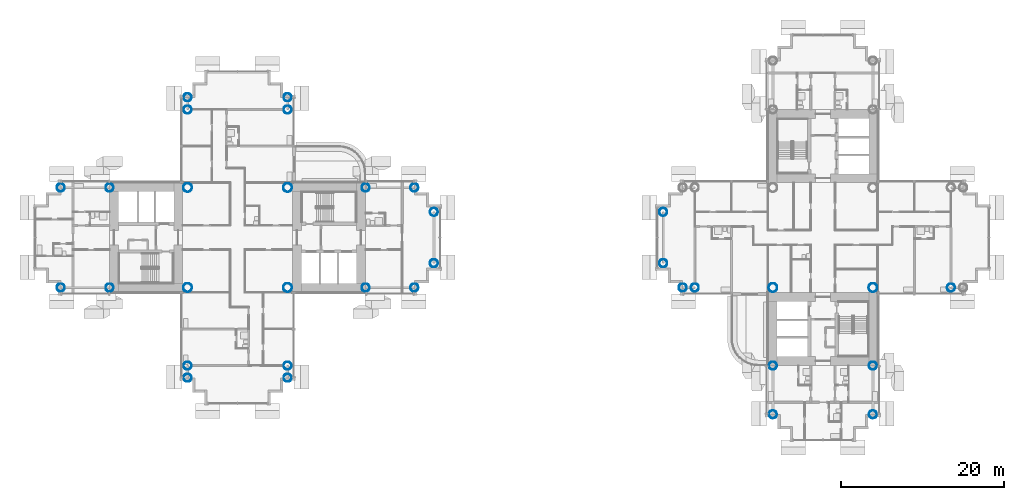
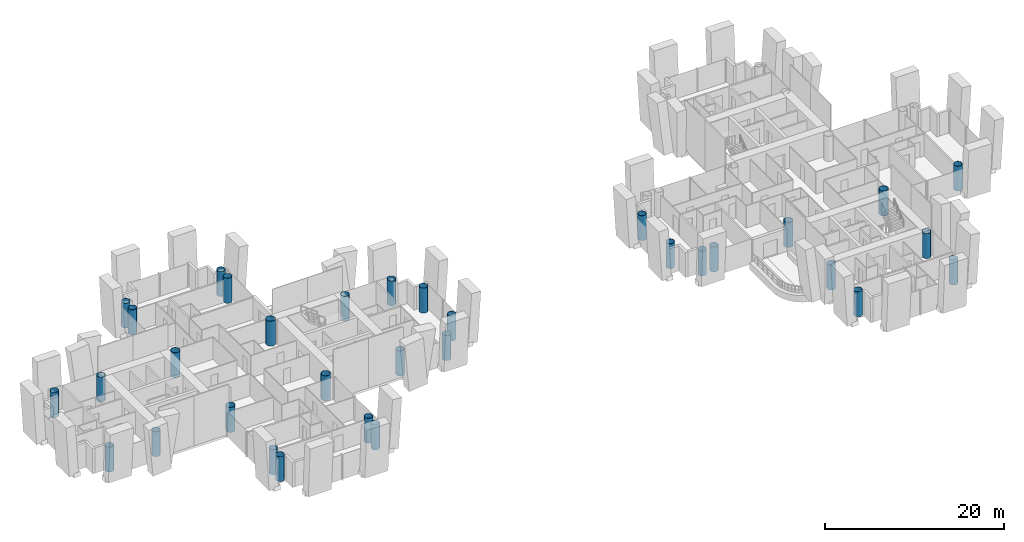
# One storey, part 1 of 23: 33 columns.
"""IFC4 building model written with IfcOpenShell, lengths in metres."""

from ifc_helpers import new_model, si_unit, direction, frame, origin, origin_2d, place, context, subcontext, project, spatial, hollow_circle, extrude, material, material_profile, profile_set, type_object, element, save


model = new_model("IFC4")

# Units and contexts
model_context = context("Model", 3, precision=1e-05, world=origin(), true_north=direction((0.0, 1.0)))
body_context = subcontext(model_context, "Body", "Model", "MODEL_VIEW")
ifc_project = project(units=[si_unit("LENGTHUNIT", "METRE"), si_unit("AREAUNIT", "SQUARE_METRE"), si_unit("VOLUMEUNIT", "CUBIC_METRE"), si_unit("PLANEANGLEUNIT", "RADIAN"), si_unit("MASSUNIT", "GRAM", prefix="KILO")], contexts=[model_context])

# Site, building, storey
site_placement = place(None, origin())
site = spatial("IfcSite", under=ifc_project, at=site_placement, CompositionType="ELEMENT")
building_placement = place(site_placement, origin())
building = spatial("IfcBuilding", under=site, at=building_placement, Name="Ipe Terrace Towers", CompositionType="ELEMENT")
storey_placement = place(building_placement, frame((0.0, 0.0, 51.699951171875)))
storey = spatial("IfcBuildingStorey", under=building, at=storey_placement, Name="L13", CompositionType="ELEMENT", Elevation=51.699951171875)

# Columns
ifc_material_1 = material(Name="Steel S355 tube with Concrete C60/75 fill", Category="concrete")
ifc_material_profile_1 = material_profile(ifc_material_1, hollow_circle(Radius=0.5, WallThickness=0.035888671875, at=origin_2d()), Name="CHS-1000x36")
ifc_profile_set_1 = profile_set([ifc_material_profile_1], Name="Steel S355 tube with Concrete C60/75 fill")
column_type_1 = type_object("IfcColumnType", Name="CH01 COLUMN CHS-1000x36", PredefinedType="COLUMN", material=ifc_profile_set_1)
for number, where, z_axis, x_axis, name in (
    (1, (-20.25, -6.14990234375, 0.0), (0.0, 0.0, 1.0), (1.0, 0.0, 0.0), "Column T1-C-A01"),
    (2, (-20.25, 6.14990234375, 0.0), (0.0, 0.0, 1.0), (1.0, 0.0, 0.0), "Column T1-C-A02"),
    (3, (-14.25, -6.14990234375, 0.0), (0.0, 0.0, 1.0), (1.0, 0.0, 0.0), "Column T1-C-A03"),
    (4, (-14.25, 6.14990234375, 0.0), (0.0, 0.0, 1.0), (1.0, 0.0, 0.0), "Column T1-C-A04"),
    (5, (-11.85009765625, -3.14990234375, 0.0), (0.0, 0.0, 1.0), (1.0, 0.0, 0.0), "Column T1-C-A05"),
    (6, (-11.85009765625, 3.14990234375, 0.0), (0.0, 0.0, 1.0), (1.0, 0.0, 0.0), "Column T1-C-A06"),
    (7, (-29.85009765625, 15.75, 0.0), (0.0, 0.0, 1.0), (1.0, 0.0, 0.0), "Column T1-C-B03"),
    (8, (-42.14990234375, 15.75, 0.0), (0.0, 0.0, 1.0), (1.0, 0.0, 0.0), "Column T1-C-B04"),
    (9, (-29.85009765625, 17.25, 0.0), (0.0, 0.0, 1.0), (1.0, 0.0, 0.0), "Column T1-C-B05"),
    (10, (-42.14990234375, 17.25, 0.0), (0.0, 0.0, 1.0), (1.0, 0.0, 0.0), "Column T1-C-B06"),
    (11, (-51.75, -6.14990234375, 0.0), (0.0, 0.0, 1.0), (1.0, 0.0, 0.0), "Column T1-C-C01"),
    (12, (-51.75, 6.14990234375, 0.0), (0.0, 0.0, 1.0), (1.0, 0.0, 0.0), "Column T1-C-C02"),
    (13, (-57.75, -6.14990234375, 0.0), (0.0, 0.0, 1.0), (1.0, 0.0, 0.0), "Column T1-C-C03"),
    (14, (-57.75, 6.14990234375, 0.0), (0.0, 0.0, 1.0), (1.0, 0.0, 0.0), "Column T1-C-C04"),
    (15, (-42.14990234375, -15.75, 0.0), (0.0, 0.0, 1.0), (1.0, 0.0, 0.0), "Column T1-C-D03"),
    (16, (-29.85009765625, -15.75, 0.0), (0.0, 0.0, 1.0), (1.0, 0.0, 0.0), "Column T1-C-D04"),
    (17, (-42.14990234375, -17.25, 0.0), (0.0, 0.0, 1.0), (1.0, 0.0, 0.0), "Column T1-C-D05"),
    (18, (-29.85009765625, -17.25, 0.0), (0.0, 0.0, 1.0), (1.0, 0.0, 0.0), "Column T1-C-D06"),
    (19, (20.25, -6.14990234375, 0.0), (0.0, 0.0, 1.0), (1.0, 0.0, 0.0), "Column T2-C-B04"),
    (20, (18.75, -6.14990234375, 0.0), (0.0, 0.0, 1.0), (1.0, 0.0, 0.0), "Column T2-C-B06"),
    (21, (16.35009765625, 3.14990234375, 0.0), (0.0, 0.0, 1.0), (1.0, 0.0, 0.0), "Column T2-C-B07"),
    (22, (16.35009765625, -3.14990234375, 0.0), (0.0, 0.0, 1.0), (1.0, 0.0, 0.0), "Column T2-C-B08"),
    (23, (42.14990234375, -15.75, 0.0), (0.0, 0.0, 1.0), (1.0, 0.0, 0.0), "Column T2-C-C01"),
    (24, (29.85009765625, -15.75, 0.0), (0.0, 0.0, 1.0), (1.0, 0.0, 0.0), "Column T2-C-C02"),
    (25, (42.14990234375, -21.75, 0.0), (0.0, 0.0, 1.0), (1.0, 0.0, 0.0), "Column T2-C-C03"),
    (26, (29.85009765625, -21.75, 0.0), (0.0, 0.0, 1.0), (1.0, 0.0, 0.0), "Column T2-C-C04"),
    (27, (51.75, -6.14990234375, 0.0), (0.0, 0.0, 1.0), (1.0, 0.0, 0.0), "Column T2-C-D03"),
):
    element("IfcColumn", number, at=place(storey_placement, frame(where, z_axis=z_axis, x_axis=x_axis)), inside=storey, type_object=column_type_1, Name=name, PredefinedType="COLUMN", context=body_context, shape_type="SweptSolid", body=[
        extrude(hollow_circle(Radius=0.5, WallThickness=0.035888671875, at=origin_2d()), origin(), (0.0, 0.0, 1.0), 3.400146484375),
    ])
ifc_material_2 = material(Name="Steel S355 tube with Concrete C60/75 fill", Category="concrete")
ifc_material_profile_2 = material_profile(ifc_material_2, hollow_circle(Radius=0.550048828125, WallThickness=0.0400390625, at=origin_2d()), Name="CHS-1100x40")
ifc_profile_set_2 = profile_set([ifc_material_profile_2], Name="Steel S355 tube with Concrete C60/75 fill")
column_type_2 = type_object("IfcColumnType", Name="CH02 COLUMN CHS-1100x40", PredefinedType="COLUMN", material=ifc_profile_set_2)
for number, where, z_axis, x_axis, name in (
    (28, (-42.14990234375, -6.14990234375, 0.0), (0.0, 0.0, 1.0), (1.0, 0.0, 0.0), "Column T1-C-E01"),
    (29, (-29.85009765625, -6.14990234375, 0.0), (0.0, 0.0, 1.0), (1.0, 0.0, 0.0), "Column T1-C-E02"),
    (30, (-29.85009765625, 6.14990234375, 0.0), (0.0, 0.0, 1.0), (1.0, 0.0, 0.0), "Column T1-C-E03"),
    (31, (-42.14990234375, 6.14990234375, 0.0), (0.0, 0.0, 1.0), (1.0, 0.0, 0.0), "Column T1-C-E04"),
    (32, (42.14990234375, -6.14990234375, 0.0), (0.0, 0.0, 1.0), (1.0, 0.0, 0.0), "Column T2-C-E01"),
    (33, (29.85009765625, -6.14990234375, 0.0), (0.0, 0.0, 1.0), (1.0, 0.0, 0.0), "Column T2-C-E04"),
):
    element("IfcColumn", number, at=place(storey_placement, frame(where, z_axis=z_axis, x_axis=x_axis)), inside=storey, type_object=column_type_2, Name=name, PredefinedType="COLUMN", context=body_context, shape_type="SweptSolid", body=[
        extrude(hollow_circle(Radius=0.550048828125, WallThickness=0.0400390625, at=origin_2d()), origin(), (0.0, 0.0, 1.0), 3.400146484375),
    ])

save(model, "model.ifc")
